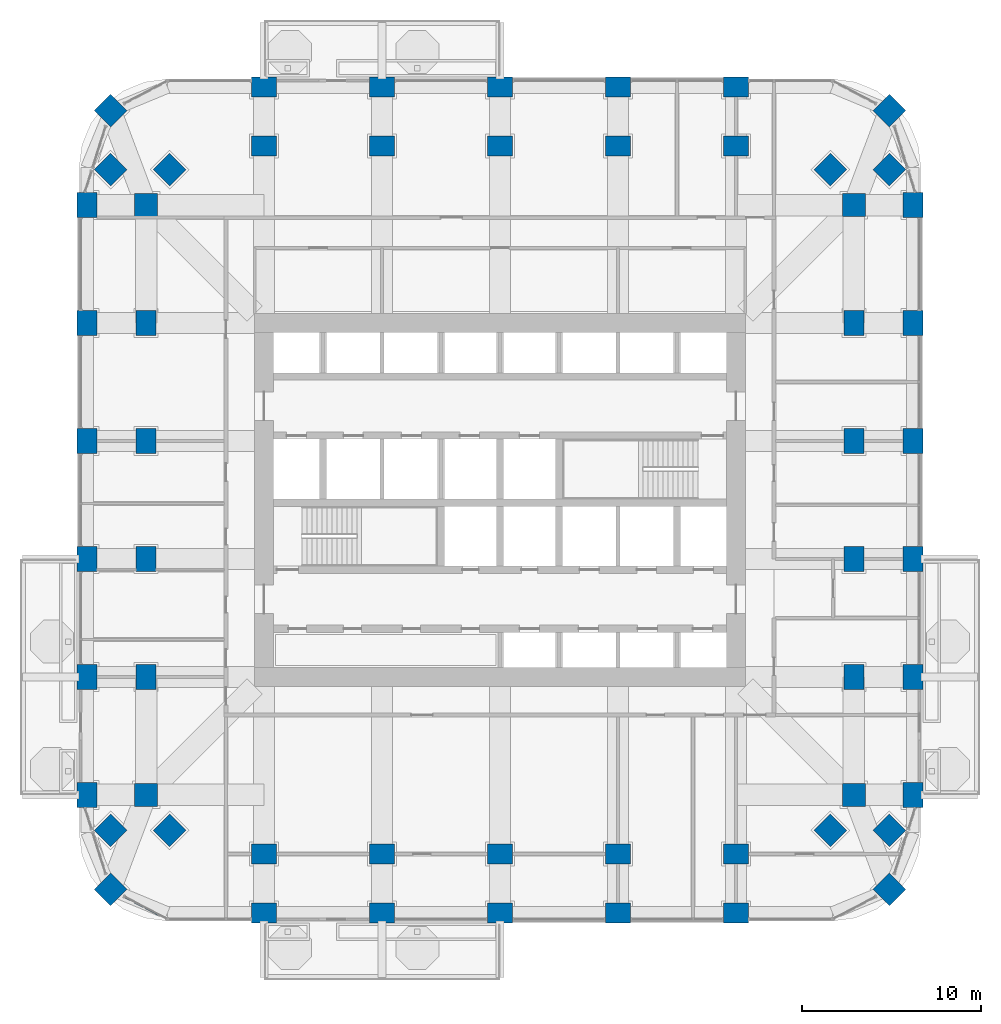
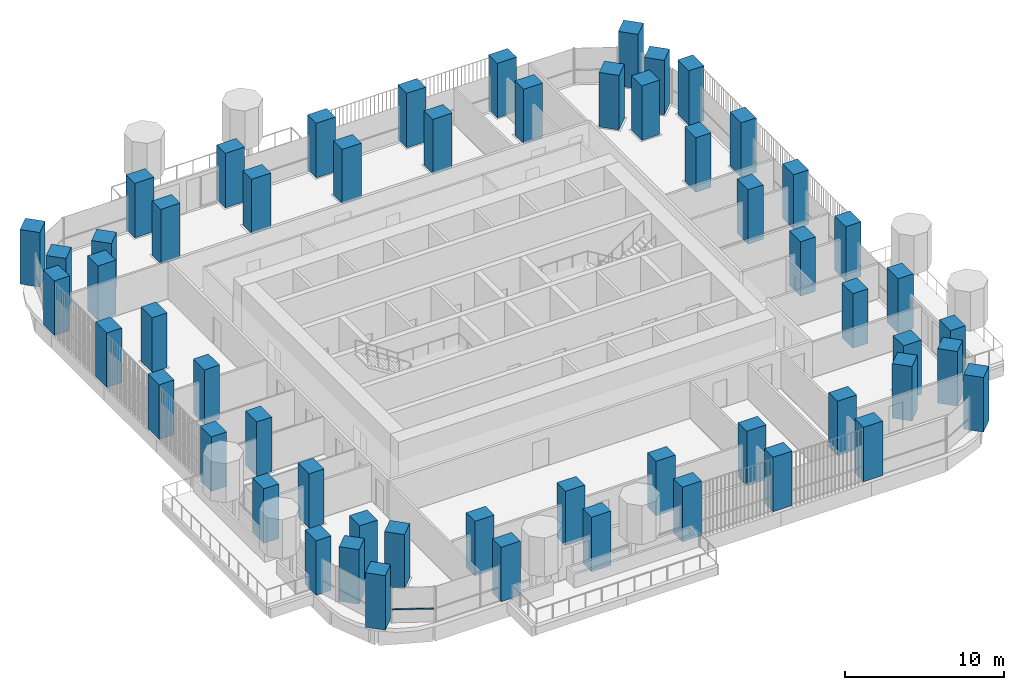
# One storey, part 1 of 21: 56 columns, 1 member, 1 element without a shape of its own.
"""IFC4 building model written with IfcOpenShell, lengths in metres."""

import ifcopenshell
import ifcopenshell.guid

model = None  # the IFC model being written
_history = None  # IfcOwnerHistory: only IFC2X3 demands one
_inside = {}  # id of a spatial element -> (the spatial element, [elements in it])
_under = {}  # id of a project, library or spatial element -> (it, [spatial elements below it])
_declared = {}  # id of a project -> (the project, [libraries it declares])
_typed = {}  # id of a type object -> (the type object, [elements of that type])
_made_of = {}  # id of a material, layer set ... -> (it, [elements and type objects made of it])


def new_model(schema):
    """Start an empty IFC model of exactly this schema.

    Asked for "IFC4X3", IfcOpenShell would pick the latest addendum, in which some entities
    have other attributes; the version numbers below select the first issue.
    IFC2X3 requires an IfcOwnerHistory on every rooted entity: one is made here for all.
    """
    global model, _history
    if schema == "IFC4X3":
        model = ifcopenshell.file(schema_version=(4, 3, 0, 0))
    else:
        model = ifcopenshell.file(schema=schema)
    _inside.clear()
    _under.clear()
    _declared.clear()
    _typed.clear()
    _made_of.clear()
    _history = None
    if model.schema == "IFC2X3":
        org = make("IfcOrganization", Name="unknown")
        user = make(
            "IfcPersonAndOrganization",
            ThePerson=make("IfcPerson", FamilyName="unknown"),
            TheOrganization=org,
        )
        app = make(
            "IfcApplication",
            ApplicationDeveloper=org,
            Version="unknown",
            ApplicationFullName="unknown",
            ApplicationIdentifier="unknown",
        )
        _history = make(
            "IfcOwnerHistory",
            OwningUser=user,
            OwningApplication=app,
            ChangeAction="ADDED",
            CreationDate=0,
        )
    return model


def make(cls, **values):
    """One entity of the class cls with the attributes given. An attribute that is None is left unset."""
    return model.create_entity(
        cls, **{name: value for name, value in values.items() if value is not None}
    )


def rooted(cls, **values):
    """An entity with a GlobalId (a new one), such as an element, a storey or a relation."""
    return make(cls, GlobalId=ifcopenshell.guid.new(), OwnerHistory=_history, **values)


def si_unit(unit_type, name, prefix=None):
    """IfcSIUnit, for example si_unit("LENGTHUNIT", "METRE", prefix="MILLI")."""
    return make("IfcSIUnit", UnitType=unit_type, Prefix=prefix, Name=name)


def assignment(units):
    """IfcUnitAssignment: the units of a project."""
    return None if units is None else make("IfcUnitAssignment", Units=units)


def point(xyz):
    """IfcCartesianPoint."""
    return None if xyz is None else make("IfcCartesianPoint", Coordinates=xyz)


def direction(xyz):
    """IfcDirection."""
    return None if xyz is None else make("IfcDirection", DirectionRatios=xyz)


def frame(location, z_axis=None, x_axis=None):
    """IfcAxis2Placement3D, a coordinate frame: its origin and axes. An axis left out is left unset."""
    return make(
        "IfcAxis2Placement3D",
        Location=point(location),
        Axis=direction(z_axis),
        RefDirection=direction(x_axis),
    )


def frame_2d(location, x_axis=None):
    """IfcAxis2Placement2D, a coordinate frame in the plane: its origin and x axis."""
    return make(
        "IfcAxis2Placement2D", Location=point(location), RefDirection=direction(x_axis)
    )


def origin():
    """The frame at (0, 0, 0) with its axes left unset."""
    return frame((0.0, 0.0, 0.0))


def origin_2d():
    """The frame at (0, 0) in the plane with its x axis left unset."""
    return frame_2d((0.0, 0.0))


def place(relative_to, where):
    """IfcLocalPlacement: puts the frame where relative to a parent placement (None: the world)."""
    return make(
        "IfcLocalPlacement", PlacementRelTo=relative_to, RelativePlacement=where
    )


def context(
    kind, dimensions, precision=None, world=None, true_north=None, identifier=None
):
    """IfcGeometricRepresentationContext, for example the 3D "Model" context."""
    return make(
        "IfcGeometricRepresentationContext",
        ContextIdentifier=identifier,
        ContextType=kind,
        CoordinateSpaceDimension=dimensions,
        Precision=precision,
        WorldCoordinateSystem=world,
        TrueNorth=true_north,
    )


def subcontext(parent, identifier, kind, view, scale=None):
    """IfcGeometricRepresentationSubContext, for example "Body" below "Model"."""
    return make(
        "IfcGeometricRepresentationSubContext",
        ContextIdentifier=identifier,
        ContextType=kind,
        ParentContext=parent,
        TargetScale=scale,
        TargetView=view,
    )


def project(units=None, contexts=None):
    """IfcProject with its units and contexts."""
    return rooted(
        "IfcProject",
        Name="project",
        RepresentationContexts=contexts,
        UnitsInContext=assignment(units),
    )


def spatial(cls, under=None, at=None, **own):
    """A site, building, storey or space (cls), placed at a placement, below another one or the project."""
    s = rooted(cls, ObjectPlacement=at, **own)
    if under is not None:
        _under.setdefault(under.id(), (under, []))[1].append(s)
    return s


def profile(cls, at=None, kind="AREA", **sizes):
    """A parametric profile (cls). Its sizes go by their IFC names, for example OverallWidth=200.0."""
    return make(cls, ProfileType=kind, Position=at, **sizes)


def rectangle(**sizes):
    """IfcRectangleProfileDef."""
    return profile("IfcRectangleProfileDef", **sizes)


def extrude(swept, where, along, depth):
    """IfcExtrudedAreaSolid: the profile swept, set in the frame where, extruded along a direction by depth."""
    return make(
        "IfcExtrudedAreaSolid",
        SweptArea=swept,
        Position=where,
        ExtrudedDirection=direction(along),
        Depth=depth,
    )


def shape(context_of_items, identifier, shape_type, items):
    """IfcShapeRepresentation: the items that make up one representation, for example the "Body"."""
    return make(
        "IfcShapeRepresentation",
        ContextOfItems=context_of_items,
        RepresentationIdentifier=identifier,
        RepresentationType=shape_type,
        Items=items,
    )


def material(Name=None, Category=None):
    """IfcMaterial."""
    return make("IfcMaterial", Name=Name, Category=Category)


def material_profile(
    of_material, cross_section, Name=None, Category=None, Priority=None
):
    """IfcMaterialProfile: a cross section and its material."""
    return make(
        "IfcMaterialProfile",
        Name=Name,
        Material=of_material,
        Profile=cross_section,
        Priority=Priority,
        Category=Category,
    )


def profile_set(profiles, Name=None, composite=None):
    """IfcMaterialProfileSet."""
    return make(
        "IfcMaterialProfileSet",
        Name=Name,
        MaterialProfiles=profiles,
        CompositeProfile=composite,
    )


def made_of(thing, what):
    """Note that an element or type object is made of a material, layer set ...; save() writes the relation."""
    if what is not None:
        _made_of.setdefault(what.id(), (what, []))[1].append(thing)
    return thing


def type_object(cls, material=None, **own):
    """A type object (cls), such as IfcWallType, which elements share."""
    return made_of(rooted(cls, **own), material)


def element(
    cls,
    number,
    at=None,
    inside=None,
    cuts=None,
    type_object=None,
    material=None,
    context=None,
    identifier="Body",
    shape_type=None,
    held_by="IfcProductDefinitionShape",
    body=None,
    shapes=None,
    **own,
):
    """One element of the class cls, such as IfcWall. Its Tag is "e" and its number.

    at: its placement. inside: the storey or other place that contains it. cuts: it is an
    opening in that element (IfcRelVoidsElement). A single representation is given by context,
    identifier, shape_type and body (its items); several are given by shapes. held_by: the class
    of the entity that holds the representations. save() writes the other relations.
    """
    e = rooted(cls, Tag="e%d" % number, ObjectPlacement=at, **own)
    if body is not None:
        shapes = [shape(context, identifier, shape_type, body)]
    if shapes is not None:
        e.Representation = make(held_by, Representations=shapes)
    if inside is not None:
        _inside.setdefault(inside.id(), (inside, []))[1].append(e)
    if cuts is not None:
        rooted(
            "IfcRelVoidsElement", RelatingBuildingElement=cuts, RelatedOpeningElement=e
        )
    if type_object is not None:
        _typed.setdefault(type_object.id(), (type_object, []))[1].append(e)
    return made_of(e, material)


def aggregate(whole, parts):
    """IfcRelAggregates: a whole, such as a stair, and the parts it consists of."""
    return rooted("IfcRelAggregates", RelatingObject=whole, RelatedObjects=parts)


def save(model, path):
    """Write the relations noted so far, then the file.

    IfcRelAggregates (storeys below a building ...), IfcRelContainedInSpatialStructure (elements
    in a storey), IfcRelDefinesByType, IfcRelAssociatesMaterial and IfcRelDeclares: one each for
    every whole, place, type object, material and project.
    """
    for whole, parts in _under.values():
        aggregate(whole, parts)
    for where, things in _inside.values():
        rooted(
            "IfcRelContainedInSpatialStructure",
            RelatedElements=things,
            RelatingStructure=where,
        )
    for kind, things in _typed.values():
        rooted("IfcRelDefinesByType", RelatedObjects=things, RelatingType=kind)
    for what, things in _made_of.values():
        rooted("IfcRelAssociatesMaterial", RelatedObjects=things, RelatingMaterial=what)
    for by, libraries in _declared.values():
        rooted("IfcRelDeclares", RelatingContext=by, RelatedDefinitions=libraries)
    model.write(path)


model = new_model("IFC4")

# Units and contexts
model_context = context("Model", 3, precision=1e-05, world=origin(), true_north=direction((0.0, 1.0)))
body_context = subcontext(model_context, "Body", "Model", "MODEL_VIEW")
ifc_project = project(units=[si_unit("LENGTHUNIT", "METRE"), si_unit("AREAUNIT", "SQUARE_METRE"), si_unit("VOLUMEUNIT", "CUBIC_METRE"), si_unit("PLANEANGLEUNIT", "RADIAN"), si_unit("MASSUNIT", "GRAM", prefix="KILO")], contexts=[model_context])

# Site, building, storey
site_placement = place(None, origin())
site = spatial("IfcSite", under=ifc_project, at=site_placement, CompositionType="ELEMENT")
building_placement = place(site_placement, origin())
building = spatial("IfcBuilding", under=site, at=building_placement, Name="Cobogo Forest Laboratory Tower", CompositionType="ELEMENT")
storey_placement = place(building_placement, frame((0.0, 0.0, 124.199951171875)))
storey = spatial("IfcBuildingStorey", under=building, at=storey_placement, Name="L28", CompositionType="ELEMENT", Elevation=124.199951171875)

# Columns
ifc_material_1 = material(Name="Concrete HA-50 (C50/60)", Category="concrete")
ifc_material_profile_1 = material_profile(ifc_material_1, rectangle(XDim=1.39990234375, YDim=1.10009765625, at=origin_2d()), Name="RC 1100x1400")
ifc_profile_set_1 = profile_set([ifc_material_profile_1], Name="Concrete HA-50 (C50/60)")
column_type_1 = type_object("IfcColumnType", Name="Blade column 1100x1400", PredefinedType="COLUMN", material=ifc_profile_set_1)
for number, where, z_axis, x_axis, name in (
    (1, (13.199951171875, 0.0, 0.0), (0.0, 0.0, 1.0), (1.0, 0.0, 0.0), "Column 3-A L28"),
    (2, (19.800048828125, 0.0, 0.0), (0.0, 0.0, 1.0), (1.0, 0.0, 0.0), "Column 4-A L28"),
    (3, (26.39990234375, 0.0, 0.0), (0.0, 0.0, 1.0), (1.0, 0.0, 0.0), "Column 5-A L28"),
    (4, (33.0, 0.0, 0.0), (0.0, 0.0, 1.0), (1.0, 0.0, 0.0), "Column 6-A L28"),
    (5, (39.60009765625, 0.0, 0.0), (0.0, 0.0, 1.0), (1.0, 0.0, 0.0), "Column 7-A L28"),
    (6, (3.300048828125, 6.60009765625, 0.0), (0.0, 0.0, 1.0), (0.0, 1.0, 0.0), "Column 1.1-B L28"),
    (7, (49.5, 6.60009765625, 0.0), (0.0, 0.0, 1.0), (0.0, 1.0, 0.0), "Column 8.1-B L28"),
    (8, (3.300048828125, 13.199951171875, 0.0), (0.0, 0.0, 1.0), (0.0, 1.0, 0.0), "Column 1.1-C L28"),
    (9, (49.5, 13.199951171875, 0.0), (0.0, 0.0, 1.0), (0.0, 1.0, 0.0), "Column 8.1-C L28"),
    (10, (3.300048828125, 19.800048828125, 0.0), (0.0, 0.0, 1.0), (0.0, 1.0, 0.0), "Column 1.1-D L28"),
    (11, (49.5, 19.800048828125, 0.0), (0.0, 0.0, 1.0), (0.0, 1.0, 0.0), "Column 8.1-D L28"),
    (12, (3.300048828125, 26.39990234375, 0.0), (0.0, 0.0, 1.0), (0.0, 1.0, 0.0), "Column 1.1-E L28"),
    (13, (49.5, 26.39990234375, 0.0), (0.0, 0.0, 1.0), (0.0, 1.0, 0.0), "Column 8.1-E L28"),
    (14, (3.300048828125, 33.0, 0.0), (0.0, 0.0, 1.0), (0.0, 1.0, 0.0), "Column 1.1-F L28"),
    (15, (49.5, 33.0, 0.0), (0.0, 0.0, 1.0), (0.0, 1.0, 0.0), "Column 8.1-F L28"),
    (16, (3.300048828125, 39.60009765625, 0.0), (0.0, 0.0, 1.0), (0.0, 1.0, 0.0), "Column 1.1-G L28"),
    (17, (49.5, 39.60009765625, 0.0), (0.0, 0.0, 1.0), (0.0, 1.0, 0.0), "Column 8.1-G L28"),
    (18, (13.199951171875, 46.199951171875, 0.0), (0.0, 0.0, 1.0), (1.0, 0.0, 0.0), "Column 3-H L28"),
    (19, (19.800048828125, 46.199951171875, 0.0), (0.0, 0.0, 1.0), (1.0, 0.0, 0.0), "Column 4-H L28"),
    (20, (26.39990234375, 46.199951171875, 0.0), (0.0, 0.0, 1.0), (1.0, 0.0, 0.0), "Column 5-H L28"),
    (21, (33.0, 46.199951171875, 0.0), (0.0, 0.0, 1.0), (1.0, 0.0, 0.0), "Column 6-H L28"),
    (22, (39.60009765625, 46.199951171875, 0.0), (0.0, 0.0, 1.0), (1.0, 0.0, 0.0), "Column 7-H L28"),
    (23, (13.199951171875, 3.300048828125, 0.0), (0.0, 0.0, 1.0), (1.0, 0.0, 0.0), "Column 3-A.1-C L28"),
    (24, (19.800048828125, 3.300048828125, 0.0), (0.0, 0.0, 1.0), (1.0, 0.0, 0.0), "Column 4-A.1-C L28"),
    (25, (26.39990234375, 3.300048828125, 0.0), (0.0, 0.0, 1.0), (1.0, 0.0, 0.0), "Column 5-A.1-C L28"),
    (26, (33.0, 3.300048828125, 0.0), (0.0, 0.0, 1.0), (1.0, 0.0, 0.0), "Column 6-A.1-C L28"),
    (27, (39.60009765625, 3.300048828125, 0.0), (0.0, 0.0, 1.0), (1.0, 0.0, 0.0), "Column 7-A.1-C L28"),
    (28, (13.199951171875, 42.89990234375, 0.0), (0.0, 0.0, 1.0), (1.0, 0.0, 0.0), "Column 3-G.1-C L28"),
    (29, (19.800048828125, 42.89990234375, 0.0), (0.0, 0.0, 1.0), (1.0, 0.0, 0.0), "Column 4-G.1-C L28"),
    (30, (26.39990234375, 42.89990234375, 0.0), (0.0, 0.0, 1.0), (1.0, 0.0, 0.0), "Column 5-G.1-C L28"),
    (31, (33.0, 42.89990234375, 0.0), (0.0, 0.0, 1.0), (1.0, 0.0, 0.0), "Column 6-G.1-C L28"),
    (32, (39.60009765625, 42.89990234375, 0.0), (0.0, 0.0, 1.0), (1.0, 0.0, 0.0), "Column 7-G.1-C L28"),
    (33, (6.60009765625, 13.199951171875, 0.0), (0.0, 0.0, 1.0), (0.0, 1.0, 0.0), "Column 2-C-D L28"),
    (34, (46.199951171875, 13.199951171875, 0.0), (0.0, 0.0, 1.0), (0.0, 1.0, 0.0), "Column 8-C-D L28"),
    (35, (6.60009765625, 19.800048828125, 0.0), (0.0, 0.0, 1.0), (0.0, 1.0, 0.0), "Column 2-D-D L28"),
    (36, (46.199951171875, 19.800048828125, 0.0), (0.0, 0.0, 1.0), (0.0, 1.0, 0.0), "Column 8-D-D L28"),
    (37, (6.60009765625, 26.39990234375, 0.0), (0.0, 0.0, 1.0), (0.0, 1.0, 0.0), "Column 2-E-D L28"),
    (38, (46.199951171875, 26.39990234375, 0.0), (0.0, 0.0, 1.0), (0.0, 1.0, 0.0), "Column 8-E-D L28"),
    (39, (6.60009765625, 33.0, 0.0), (0.0, 0.0, 1.0), (0.0, 1.0, 0.0), "Column 2-F-D L28"),
    (40, (46.199951171875, 33.0, 0.0), (0.0, 0.0, 1.0), (0.0, 1.0, 0.0), "Column 8-F-D L28"),
):
    element("IfcColumn", number, at=place(storey_placement, frame(where, z_axis=z_axis, x_axis=x_axis)), inside=storey, type_object=column_type_1, Name=name, PredefinedType="COLUMN", context=body_context, shape_type="SweptSolid", body=[
        extrude(rectangle(XDim=1.39990234375, YDim=1.10009765625, at=origin_2d()), origin(), (0.0, 0.0, 1.0), 4.199951171875),
    ])
ifc_material_profile_2 = material_profile(ifc_material_1, rectangle(XDim=1.300048828125, YDim=1.300048828125, at=origin_2d()), Name="RC 1300x1300")
ifc_profile_set_2 = profile_set([ifc_material_profile_2], Name="Concrete HA-50 (C50/60)")
column_type_2 = type_object("IfcColumnType", Name="Column 1300x1300", PredefinedType="COLUMN", material=ifc_profile_set_2)
for number, where, z_axis, x_axis, name in (
    (41, (4.617919921875, 1.318115234375, 0.0), (0.0, 0.0, 1.0), (0.707106781187, 0.707106781187, 0.0), "Column CNR-SW L28"),
    (42, (48.181884765625, 1.318115234375, 0.0), (0.0, 0.0, 1.0), (0.707106781187, 0.707106781187, 0.0), "Column CNR-SE L28"),
    (43, (4.617919921875, 44.882080078125, 0.0), (0.0, 0.0, 1.0), (0.707106781187, 0.707106781187, 0.0), "Column CNR-NW L28"),
    (44, (48.181884765625, 44.882080078125, 0.0), (0.0, 0.0, 1.0), (0.707106781187, 0.707106781187, 0.0), "Column CNR-NE L28"),
    (45, (6.60009765625, 6.60009765625, 0.0), (0.0, 0.0, 1.0), (1.0, 0.0, 0.0), "Column 2-B L28"),
    (46, (46.199951171875, 6.60009765625, 0.0), (0.0, 0.0, 1.0), (1.0, 0.0, 0.0), "Column 8-B L28"),
    (47, (6.60009765625, 39.60009765625, 0.0), (0.0, 0.0, 1.0), (1.0, 0.0, 0.0), "Column 2-G L28"),
    (48, (46.199951171875, 39.60009765625, 0.0), (0.0, 0.0, 1.0), (1.0, 0.0, 0.0), "Column 8-G L28"),
    (49, (4.617919921875, 4.617919921875, 0.0), (0.0, 0.0, 1.0), (0.707106781187, 0.707106781187, 0.0), "Column CNR-SW-C L28"),
    (50, (48.181884765625, 4.617919921875, 0.0), (0.0, 0.0, 1.0), (0.707106781187, 0.707106781187, 0.0), "Column CNR-SE-C L28"),
    (51, (4.617919921875, 41.58203125, 0.0), (0.0, 0.0, 1.0), (0.707106781187, 0.707106781187, 0.0), "Column CNR-NW-C L28"),
    (52, (48.181884765625, 41.58203125, 0.0), (0.0, 0.0, 1.0), (0.707106781187, 0.707106781187, 0.0), "Column CNR-NE-C L28"),
    (53, (7.91796875, 4.617919921875, 0.0), (0.0, 0.0, 1.0), (0.707106781187, 0.707106781187, 0.0), "Column CNR-SW-D L28"),
    (54, (44.882080078125, 4.617919921875, 0.0), (0.0, 0.0, 1.0), (0.707106781187, 0.707106781187, 0.0), "Column CNR-SE-D L28"),
    (55, (7.91796875, 41.58203125, 0.0), (0.0, 0.0, 1.0), (0.707106781187, 0.707106781187, 0.0), "Column CNR-NW-D L28"),
    (56, (44.882080078125, 41.58203125, 0.0), (0.0, 0.0, 1.0), (0.707106781187, 0.707106781187, 0.0), "Column CNR-NE-D L28"),
):
    element("IfcColumn", number, at=place(storey_placement, frame(where, z_axis=z_axis, x_axis=x_axis)), inside=storey, type_object=column_type_2, Name=name, PredefinedType="COLUMN", context=body_context, shape_type="SweptSolid", body=[
        extrude(rectangle(XDim=1.300048828125, YDim=1.300048828125, at=origin_2d()), origin(), (0.0, 0.0, 1.0), 4.199951171875),
    ])

# Curtain wall, member
ifc_material_2 = material(Name="Aluminium curtain wall", Category="aluminium")
curtain_wall_type = type_object("IfcCurtainWallType", Name="CW-1 unitised curtain wall, clear glazing, laboratory floors zones A and B", PredefinedType="USERDEFINED", material=ifc_material_2)
curtain_wall_placement = place(storey_placement, origin())
curtain_wall = element("IfcCurtainWall", 57, at=curtain_wall_placement, inside=storey, type_object=curtain_wall_type, Name="Curtain wall 34 L28", ObjectType="UNITISED CURTAIN WALL", PredefinedType="USERDEFINED")
ifc_material_3 = material(Name="Aluminium transom", Category="aluminium")
ifc_material_profile_3 = material_profile(ifc_material_3, rectangle(XDim=0.1201171875, YDim=0.06005859375, at=origin_2d()), Name="AL 60x120")
ifc_profile_set_3 = profile_set([ifc_material_profile_3], Name="Aluminium transom")
member_type = type_object("IfcMemberType", Name="TR-1 aluminium transom 60x120", PredefinedType="USERDEFINED", material=ifc_profile_set_3)
member_placement = place(storey_placement, frame((5.394775390625, 0.910888671875, 1.050048828125), z_axis=(0.885694740493, -0.464268054753, 0.0), x_axis=(0.464268054753, 0.885694740493, 0.0)))
member = element("IfcMember", 58, at=member_placement, type_object=member_type, Name="CW-1 transom 1.1", ObjectType="TRANSOM", PredefinedType="USERDEFINED", context=body_context, shape_type="SweptSolid", body=[
    extrude(rectangle(XDim=0.1201171875, YDim=0.06005859375, at=origin_2d()), origin(), (0.0, 0.0, 1.0), 2.655517578125),
])
aggregate(curtain_wall, [member])

save(model, "model.ifc")
